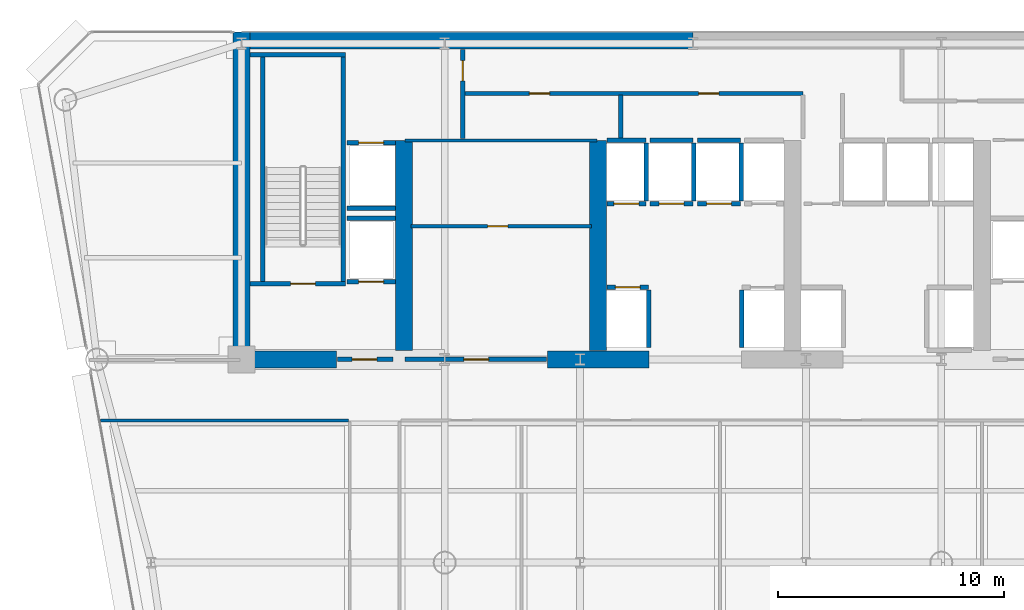
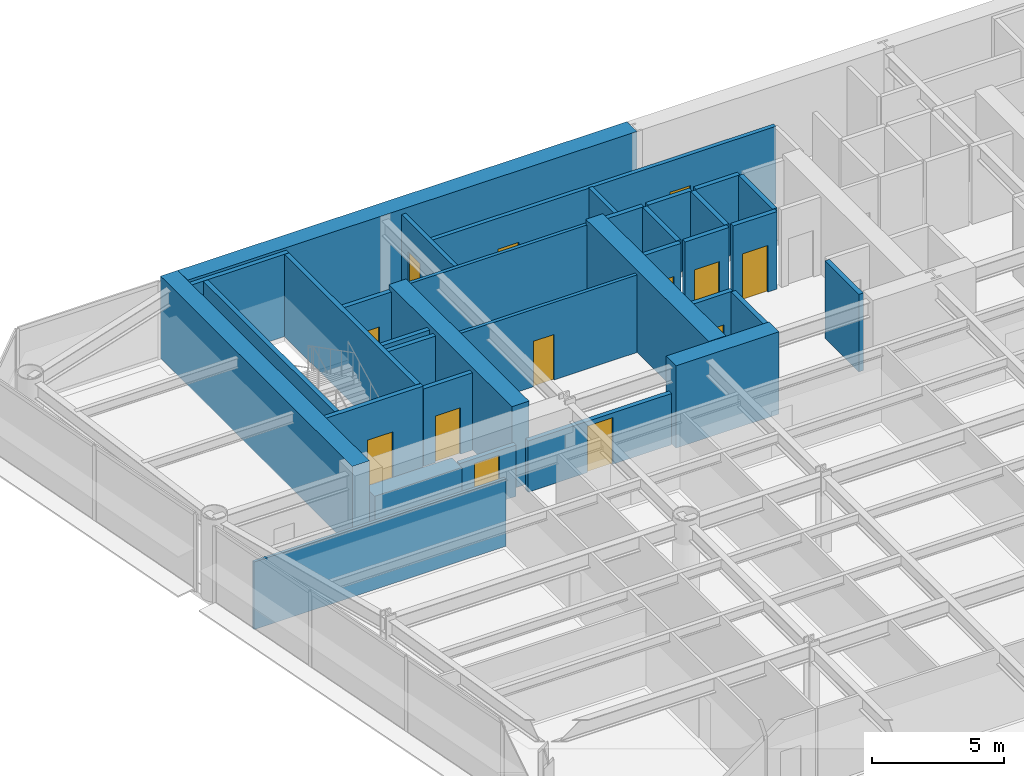
# One storey, part 8 of 14: 34 walls, 13 doors, 13 openings.
"""IFC4 building model written with IfcOpenShell, lengths in metres."""

from ifc_helpers import new_model, si_unit, direction, frame, frame_2d, origin, place, context, subcontext, project, spatial, rectangle, extrude, source, transform, mapped, material, layer, layer_set, type_object, element, fill, save


model = new_model("IFC4")

# Units and contexts
model_context = context("Model", 3, precision=1e-05, world=origin(), true_north=direction((0.0, 1.0)))
body_context = subcontext(model_context, "Body", "Model", "MODEL_VIEW")
ifc_project = project(units=[si_unit("LENGTHUNIT", "METRE"), si_unit("AREAUNIT", "SQUARE_METRE"), si_unit("VOLUMEUNIT", "CUBIC_METRE"), si_unit("PLANEANGLEUNIT", "RADIAN"), si_unit("MASSUNIT", "GRAM", prefix="KILO")], contexts=[model_context])

# Site, building, storey
site_placement = place(None, origin())
site = spatial("IfcSite", under=ifc_project, at=site_placement, CompositionType="ELEMENT")
building_placement = place(site_placement, origin())
building = spatial("IfcBuilding", under=site, at=building_placement, Name="Vaeldorn Concourse Tower", CompositionType="ELEMENT")
storey_placement = place(building_placement, frame((0.0, 0.0, 137.60009765625)))
storey = spatial("IfcBuildingStorey", under=building, at=storey_placement, Name="L35", CompositionType="ELEMENT", Elevation=137.60009765625)

# Walls
ifc_material_1 = material(Name="Concrete C60/75", Category="concrete")
ifc_layer_1 = layer(ifc_material_1, 0.75)
ifc_layer_set_1 = layer_set([ifc_layer_1], Name="Concrete C60/75")
wall_type_1 = type_object("IfcWallType", Name="WL-CORE-750", PredefinedType="SHEAR", material=ifc_layer_set_1)
wall_1_placement = place(storey_placement, frame((14.37890625, 50.625, 0.0), z_axis=(0.0, 0.0, 1.0), x_axis=(1.0, 0.0, 0.0)))
element("IfcWall", 1, at=wall_1_placement, inside=storey, type_object=wall_type_1, Name="Rear Core Shear Wall L35 N1", PredefinedType="SHEAR", context=body_context, shape_type="SweptSolid", body=[
    extrude(rectangle(XDim=19.619140625, YDim=0.75, at=frame_2d((9.8095703125, 0.0))), origin(), (0.0, 0.0, 1.0), 3.7998046875),
])
wall_2_placement = place(storey_placement, frame((14.0, 36.5, 0.0), z_axis=(0.0, 0.0, 1.0), x_axis=(0.0, 1.0, 0.0)))
element("IfcWall", 2, at=wall_2_placement, inside=storey, type_object=wall_type_1, Name="Rear Core Shear Wall L35 W1", PredefinedType="SHEAR", context=body_context, shape_type="SweptSolid", body=[
    extrude(rectangle(XDim=14.5, YDim=0.75, at=frame_2d((7.25, 0.0))), origin(), (0.0, 0.0, 1.0), 3.7998046875),
])
wall_3_placement = place(storey_placement, frame((14.39501953125, 36.5, 0.0), z_axis=(0.0, 0.0, 1.0), x_axis=(1.0, 0.0, 0.0)))
element("IfcWall", 3, at=wall_3_placement, inside=storey, type_object=wall_type_1, Name="Rear Core Shear Wall L35 S1", PredefinedType="SHEAR", context=body_context, shape_type="SweptSolid", body=[
    extrude(rectangle(XDim=3.804931640625, YDim=0.75, at=frame_2d((1.90234375, 0.0))), origin(), (0.0, 0.0, 1.0), 2.3798828125),
])
wall_4_placement = place(storey_placement, frame((27.550048828125, 36.5, 0.0), z_axis=(0.0, 0.0, 1.0), x_axis=(1.0, 0.0, 0.0)))
element("IfcWall", 4, at=wall_4_placement, inside=storey, type_object=wall_type_1, Name="Rear Core Shear Wall L35 S2", PredefinedType="SHEAR", context=body_context, shape_type="SweptSolid", body=[
    extrude(rectangle(XDim=4.5, YDim=0.75, at=frame_2d((2.25, 0.0))), origin(), (0.0, 0.0, 1.0), 3.7998046875),
])
for number, where, z_axis, x_axis, name in (
    (5, (21.199951171875, 36.89501953125, 0.0), (0.0, 0.0, 1.0), (0.0, 1.0, 0.0), "Rear Core Shear Wall L35 M1"),
    (6, (29.800048828125, 36.89501953125, 0.0), (0.0, 0.0, 1.0), (0.0, 1.0, 0.0), "Rear Core Shear Wall L35 M2"),
):
    element("IfcWall", number, at=place(storey_placement, frame(where, z_axis=z_axis, x_axis=x_axis)), inside=storey, type_object=wall_type_1, Name=name, PredefinedType="SHEAR", context=body_context, shape_type="SweptSolid", body=[
        extrude(rectangle(XDim=9.304931640625, YDim=0.75, at=frame_2d((4.65234375, 0.0))), origin(), (0.0, 0.0, 1.0), 3.7998046875),
    ])
ifc_material_2 = material(Name="Gypsum Board Partition", Category="gypsum")
ifc_layer_2 = layer(ifc_material_2, 0.1201171875)
ifc_layer_set_2 = layer_set([ifc_layer_2], Name="Gypsum Board Partition")
wall_type_2 = type_object("IfcWallType", Name="WL-PART-120", PredefinedType="PARTITIONING", material=ifc_layer_set_2)
wall_5_placement = place(storey_placement, frame((7.744873046875, 33.800048828125, 0.0), z_axis=(0.0, 0.0, 1.0), x_axis=(1.0, 0.0, 0.0)))
element("IfcWall", 7, at=wall_5_placement, inside=storey, type_object=wall_type_2, Name="Interior Wall PW-L35-C2SW", PredefinedType="PARTITIONING", context=body_context, shape_type="SweptSolid", body=[
    extrude(rectangle(XDim=10.9951171875, YDim=0.1201171875, at=frame_2d((5.49755859375, 0.0))), origin(), (0.0, 0.0, 1.0), 3.119873046875),
])
ifc_layer_3 = layer(ifc_material_2, 0.14990234375)
ifc_layer_set_3 = layer_set([ifc_layer_3], Name="Gypsum Board Partition")
wall_type_3 = type_object("IfcWallType", Name="WL-PART-150", PredefinedType="PARTITIONING", material=ifc_layer_set_3)
wall_6_placement = place(storey_placement, frame((21.25, 46.199951171875, 0.0), z_axis=(0.0, 0.0, 1.0), x_axis=(1.0, 0.0, 0.0)))
element("IfcWall", 8, at=wall_6_placement, inside=storey, type_object=wall_type_3, Name="Interior Wall CW-L35-R1N", PredefinedType="PARTITIONING", context=body_context, shape_type="SweptSolid", body=[
    extrude(rectangle(XDim=8.5, YDim=0.14990234375, at=frame_2d((4.25, 0.0))), origin(), (0.0, 0.0, 1.0), 3.579833984375),
])

# Wall, opening, door
wall_7_placement = place(storey_placement, frame((21.5, 42.39990234375, 0.0), z_axis=(0.0, 0.0, 1.0), x_axis=(1.0, 0.0, 0.0)))
wall_7 = element("IfcWall", 9, at=wall_7_placement, inside=storey, type_object=wall_type_3, Name="Interior Wall CW-L35-R1M", PredefinedType="PARTITIONING", context=body_context, shape_type="SweptSolid", body=[
    extrude(rectangle(XDim=8.0, YDim=0.14990234375, at=frame_2d((4.0, 0.0))), origin(), (0.0, 0.0, 1.0), 3.579833984375),
])
opening_1_placement = place(wall_7_placement, frame((3.39990234375, 0.0, 0.0)))
opening_1 = element("IfcOpeningElement", 10, at=opening_1_placement, cuts=wall_7, Name="Opening D-02", PredefinedType="OPENING", context=body_context, shape_type="SweptSolid", body=[
    extrude(rectangle(XDim=0.89990234375, YDim=2.10009765625, at=frame_2d((0.449951171875, 1.050048828125))), frame((0.0, 0.0849609375, 0.0), z_axis=(0.0, -1.0, 0.0), x_axis=(1.0, 0.0, 0.0)), (0.0, 0.0, 1.0), 0.169921875),
])
ifc_material_3 = material(Name="Fire-Rated Timber Leaf", Category="wood")
door_type_1 = type_object("IfcDoorType", Name="DR-FD30-900", OperationType="NOTDEFINED", PredefinedType="DOOR", material=ifc_material_3)
shared_shape_1 = source(origin(), body_context, "Body", "SweptSolid", [
    extrude(rectangle(XDim=0.89990234375, YDim=2.10009765625, at=frame_2d((0.449951171875, 1.050048828125))), frame((0.0, 0.02490234375, 0.0), z_axis=(0.0, -1.0, 0.0), x_axis=(1.0, 0.0, 0.0)), (0.0, 0.0, 1.0), 0.050048828125),
])
door_1_placement = place(opening_1_placement, origin())
door_1 = element("IfcDoor", 11, at=door_1_placement, inside=storey, type_object=door_type_1, Name="Interior Door DR-L35-R1M", OperationType="SINGLE_SWING_RIGHT", OverallHeight=2.10009765625, OverallWidth=0.89990234375, PredefinedType="DOOR", context=body_context, shape_type="MappedRepresentation", body=[
    mapped(shared_shape_1, transform((0.0, 0.0, 0.0), scale=1.0)),
])
fill(opening_1, door_1)

# Wall, openings, doors
ifc_layer_4 = layer(ifc_material_2, 0.179931640625)
ifc_layer_set_4 = layer_set([ifc_layer_4], Name="Gypsum Board Partition")
wall_type_4 = type_object("IfcWallType", Name="WL-PLUMB-180", PredefinedType="PLUMBINGWALL", material=ifc_layer_set_4)
wall_8_placement = place(storey_placement, frame((23.85009765625, 48.280029296875, 0.0), z_axis=(0.0, 0.0, 1.0), x_axis=(1.0, 0.0, 0.0)))
wall_8 = element("IfcWall", 12, at=wall_8_placement, inside=storey, type_object=wall_type_4, Name="Interior Wall CW-L35-NS2W", PredefinedType="PLUMBINGWALL", context=body_context, shape_type="SweptSolid", body=[
    extrude(rectangle(XDim=15.02978515625, YDim=0.179931640625, at=frame_2d((7.514892578125, 0.0))), origin(), (0.0, 0.0, 1.0), 3.579833984375),
])
opening_2_placement = place(wall_8_placement, frame((2.89990234375, 0.0, 0.0)))
opening_2 = element("IfcOpeningElement", 13, at=opening_2_placement, cuts=wall_8, Name="Opening D-03", PredefinedType="OPENING", context=body_context, shape_type="SweptSolid", body=[
    extrude(rectangle(XDim=0.89990234375, YDim=2.14990234375, at=frame_2d((0.449951171875, 1.074951171875))), frame((0.0, 0.10009765625, 0.0), z_axis=(0.0, -1.0, 0.0), x_axis=(1.0, 0.0, 0.0)), (0.0, 0.0, 1.0), 0.199951171875),
])
opening_3_placement = place(wall_8_placement, frame((10.39990234375, 0.0, 0.0)))
opening_3 = element("IfcOpeningElement", 14, at=opening_3_placement, cuts=wall_8, Name="Opening D-03", PredefinedType="OPENING", context=body_context, shape_type="SweptSolid", body=[
    extrude(rectangle(XDim=0.89990234375, YDim=2.14990234375, at=frame_2d((0.449951171875, 1.074951171875))), frame((0.0, 0.10009765625, 0.0), z_axis=(0.0, -1.0, 0.0), x_axis=(1.0, 0.0, 0.0)), (0.0, 0.0, 1.0), 0.199951171875),
])
ifc_material_4 = material(Name="Acoustic Bronze-Framed Glass Door", Category="glass")
door_type_2 = type_object("IfcDoorType", Name="DR-INT-900", OperationType="NOTDEFINED", PredefinedType="DOOR", material=ifc_material_4)
shared_shape_2 = source(origin(), body_context, "Body", "SweptSolid", [
    extrude(rectangle(XDim=0.89990234375, YDim=2.14990234375, at=frame_2d((0.449951171875, 1.074951171875))), frame((0.0, 0.02490234375, 0.0), z_axis=(0.0, -1.0, 0.0), x_axis=(1.0, 0.0, 0.0)), (0.0, 0.0, 1.0), 0.050048828125),
])
door_2_placement = place(opening_2_placement, origin())
door_2 = element("IfcDoor", 15, at=door_2_placement, inside=storey, type_object=door_type_2, Name="Interior Door DR-L35-CS2", OperationType="SINGLE_SWING_RIGHT", OverallHeight=2.14990234375, OverallWidth=0.89990234375, PredefinedType="DOOR", context=body_context, shape_type="MappedRepresentation", body=[
    mapped(shared_shape_2, transform((0.0, 0.0, 0.0), scale=1.0)),
])
fill(opening_2, door_2)
door_3_placement = place(opening_3_placement, origin())
door_3 = element("IfcDoor", 16, at=door_3_placement, inside=storey, type_object=door_type_2, Name="Interior Door DR-L35-CS3", OperationType="SINGLE_SWING_LEFT", OverallHeight=2.14990234375, OverallWidth=0.89990234375, PredefinedType="DOOR", context=body_context, shape_type="MappedRepresentation", body=[
    mapped(shared_shape_2, transform((0.0, 0.0, 0.0), scale=1.0)),
])
fill(opening_3, door_3)

# Wall, opening, door
wall_9_placement = place(storey_placement, frame((23.800048828125, 46.280029296875, 0.0), z_axis=(0.0, 0.0, 1.0), x_axis=(0.0, 1.0, 0.0)))
wall_9 = element("IfcWall", 17, at=wall_9_placement, inside=storey, type_object=wall_type_4, Name="Interior Wall CW-L35-SDIV1", PredefinedType="PLUMBINGWALL", context=body_context, shape_type="SweptSolid", body=[
    extrude(rectangle(XDim=3.949951171875, YDim=0.179931640625, at=frame_2d((1.97509765625, 0.0))), origin(), (0.0, 0.0, 1.0), 3.579833984375),
])
opening_4_placement = place(wall_9_placement, frame((2.56005859375, 0.0, 0.0)))
opening_4 = element("IfcOpeningElement", 18, at=opening_4_placement, cuts=wall_9, Name="Opening D-03", PredefinedType="OPENING", context=body_context, shape_type="SweptSolid", body=[
    extrude(rectangle(XDim=0.89990234375, YDim=2.14990234375, at=frame_2d((0.449951171875, 1.074951171875))), frame((0.0, 0.10009765625, 0.0), z_axis=(0.0, -1.0, 0.0), x_axis=(1.0, 0.0, 0.0)), (0.0, 0.0, 1.0), 0.199951171875),
])
door_4_placement = place(opening_4_placement, origin())
door_4 = element("IfcDoor", 19, at=door_4_placement, inside=storey, type_object=door_type_2, Name="Interior Door DR-L35-CS1", OperationType="SINGLE_SWING_LEFT", OverallHeight=2.14990234375, OverallWidth=0.89990234375, PredefinedType="DOOR", context=body_context, shape_type="MappedRepresentation", body=[
    mapped(shared_shape_2, transform((0.0, 0.0, 0.0), scale=1.0)),
])
fill(opening_4, door_4)

# Wall
wall_10_placement = place(storey_placement, frame((30.800048828125, 46.280029296875, 0.0), z_axis=(0.0, 0.0, 1.0), x_axis=(0.0, 1.0, 0.0)))
element("IfcWall", 20, at=wall_10_placement, inside=storey, type_object=wall_type_4, Name="Interior Wall CW-L35-SDIV2", PredefinedType="PLUMBINGWALL", context=body_context, shape_type="SweptSolid", body=[
    extrude(rectangle(XDim=1.93994140625, YDim=0.179931640625, at=frame_2d((0.969970703125, 0.0))), origin(), (0.0, 0.0, 1.0), 3.579833984375),
])

# Wall, opening, door
ifc_material_5 = material(Name="Concrete C50/60", Category="concrete")
ifc_layer_5 = layer(ifc_material_5, 0.199951171875)
ifc_layer_set_5 = layer_set([ifc_layer_5], Name="Concrete C50/60")
wall_type_5 = type_object("IfcWallType", Name="WL-SHAFT-200", PredefinedType="SOLIDWALL", material=ifc_layer_set_5)
wall_11_placement = place(storey_placement, frame((14.375, 39.85009765625, 0.0), z_axis=(0.0, 0.0, 1.0), x_axis=(1.0, 0.0, 0.0)))
wall_11 = element("IfcWall", 21, at=wall_11_placement, inside=storey, type_object=wall_type_5, Name="Stair Shaft Wall CW-L35-ST-1-S", PredefinedType="SOLIDWALL", context=body_context, shape_type="SweptSolid", body=[
    extrude(rectangle(XDim=4.22509765625, YDim=0.199951171875, at=frame_2d((2.112548828125, 0.0))), origin(), (0.0, 0.0, 1.0), 3.7998046875),
])
opening_5_placement = place(wall_11_placement, frame((1.800048828125, 0.0, 0.0)))
opening_5 = element("IfcOpeningElement", 22, at=opening_5_placement, cuts=wall_11, Name="Opening D-01", PredefinedType="OPENING", context=body_context, shape_type="SweptSolid", body=[
    extrude(rectangle(XDim=1.10009765625, YDim=2.14990234375, at=frame_2d((0.550048828125, 1.074951171875))), frame((0.0, 0.10986328125, 0.0), z_axis=(0.0, -1.0, 0.0), x_axis=(1.0, 0.0, 0.0)), (0.0, 0.0, 1.0), 0.219970703125),
])
ifc_material_6 = material(Name="Fire-Rated Timber and Steel Leaf", Category="steel")
door_type_3 = type_object("IfcDoorType", Name="DR-FD60-1100", OperationType="NOTDEFINED", PredefinedType="DOOR", material=ifc_material_6)
shared_shape_3 = source(origin(), body_context, "Body", "SweptSolid", [
    extrude(rectangle(XDim=1.10009765625, YDim=2.14990234375, at=frame_2d((0.550048828125, 1.074951171875))), frame((0.0, 0.02490234375, 0.0), z_axis=(0.0, -1.0, 0.0), x_axis=(1.0, 0.0, 0.0)), (0.0, 0.0, 1.0), 0.050048828125),
])
door_5_placement = place(opening_5_placement, origin())
door_5 = element("IfcDoor", 23, at=door_5_placement, inside=storey, type_object=door_type_3, Name="Interior Door DR-L35-ST-1", OperationType="SINGLE_SWING_LEFT", OverallHeight=2.14990234375, OverallWidth=1.10009765625, PredefinedType="DOOR", context=body_context, shape_type="MappedRepresentation", body=[
    mapped(shared_shape_3, transform((0.0, 0.0, 0.0), scale=1.0)),
])
fill(opening_5, door_5)

# Walls
wall_12_placement = place(storey_placement, frame((14.375, 50.0, 0.0), z_axis=(0.0, 0.0, 1.0), x_axis=(1.0, 0.0, 0.0)))
element("IfcWall", 24, at=wall_12_placement, inside=storey, type_object=wall_type_5, Name="Stair Shaft Wall CW-L35-ST-1-N", PredefinedType="SOLIDWALL", context=body_context, shape_type="SweptSolid", body=[
    extrude(rectangle(XDim=4.22509765625, YDim=0.199951171875, at=frame_2d((2.112548828125, 0.0))), origin(), (0.0, 0.0, 1.0), 3.7998046875),
])
for number, where, z_axis, x_axis, name in (
    (25, (14.949951171875, 39.9599609375, 0.0), (0.0, 0.0, 1.0), (0.0, 1.0, 0.0), "Stair Shaft Wall CW-L35-ST-1-W"),
    (26, (18.5, 39.9599609375, 0.0), (0.0, 0.0, 1.0), (0.0, 1.0, 0.0), "Stair Shaft Wall CW-L35-ST-1-E"),
):
    element("IfcWall", number, at=place(storey_placement, frame(where, z_axis=z_axis, x_axis=x_axis)), inside=storey, type_object=wall_type_5, Name=name, PredefinedType="SOLIDWALL", context=body_context, shape_type="SweptSolid", body=[
        extrude(rectangle(XDim=9.929931640625, YDim=0.199951171875, at=frame_2d((4.96484375, 0.0))), origin(), (0.0, 0.0, 1.0), 3.7998046875),
    ])

# Wall, opening, door
wall_13_placement = place(storey_placement, frame((18.25, 36.5, 0.0), z_axis=(0.0, 0.0, 1.0), x_axis=(1.0, 0.0, 0.0)))
wall_13 = element("IfcWall", 27, at=wall_13_placement, inside=storey, type_object=wall_type_5, Name="Interior Wall CW-L35-FF1S", PredefinedType="SOLIDWALL", context=body_context, shape_type="SweptSolid", body=[
    extrude(rectangle(XDim=2.469970703125, YDim=0.199951171875, at=frame_2d((1.23486328125, 0.0))), origin(), (0.0, 0.0, 1.0), 2.369873046875),
])
opening_6_placement = place(wall_13_placement, frame((0.64990234375, 0.0, 0.0)))
opening_6 = element("IfcOpeningElement", 28, at=opening_6_placement, cuts=wall_13, Name="Opening D-01", PredefinedType="OPENING", context=body_context, shape_type="SweptSolid", body=[
    extrude(rectangle(XDim=1.10009765625, YDim=2.14990234375, at=frame_2d((0.550048828125, 1.074951171875))), frame((0.0, 0.10986328125, 0.0), z_axis=(0.0, -1.0, 0.0), x_axis=(1.0, 0.0, 0.0)), (0.0, 0.0, 1.0), 0.219970703125),
])
door_6_placement = place(opening_6_placement, origin())
door_6 = element("IfcDoor", 29, at=door_6_placement, inside=storey, type_object=door_type_3, Name="Interior Door DR-L35-FF1E", OperationType="SINGLE_SWING_RIGHT", OverallHeight=2.14990234375, OverallWidth=1.10009765625, PredefinedType="DOOR", context=body_context, shape_type="MappedRepresentation", body=[
    mapped(shared_shape_3, transform((0.0, 0.0, 0.0), scale=1.0)),
])
fill(opening_6, door_6)

wall_14_placement = place(storey_placement, frame((30.18505859375, 39.699951171875, 0.0), z_axis=(0.0, 0.0, 1.0), x_axis=(1.0, 0.0, 0.0)))
wall_14 = element("IfcWall", 30, at=wall_14_placement, inside=storey, type_object=wall_type_5, Name="Interior Wall CW-L35-LF-LF-07", PredefinedType="SOLIDWALL", context=body_context, shape_type="SweptSolid", body=[
    extrude(rectangle(XDim=1.844970703125, YDim=0.199951171875, at=frame_2d((0.92236328125, 0.0))), origin(), (0.0, 0.0, 1.0), 3.579833984375),
])
opening_7_placement = place(wall_14_placement, frame((0.373046875, 0.0, 0.0)))
opening_7 = element("IfcOpeningElement", 31, at=opening_7_placement, cuts=wall_14, Name="Opening LD-1", PredefinedType="OPENING", context=body_context, shape_type="SweptSolid", body=[
    extrude(rectangle(XDim=1.10009765625, YDim=2.14990234375, at=frame_2d((0.550048828125, 1.074951171875))), frame((0.0, 0.10986328125, 0.0), z_axis=(0.0, -1.0, 0.0), x_axis=(1.0, 0.0, 0.0)), (0.0, 0.0, 1.0), 0.219970703125),
])
ifc_material_7 = material(Name="Anodised Bronze Aluminium", Category="aluminium")
door_type_4 = type_object("IfcDoorType", Name="DR-LIFT-SLIDE-1100", OperationType="DOUBLE_DOOR_SLIDING", PredefinedType="DOOR", material=ifc_material_7)
door_7_placement = place(opening_7_placement, origin())
door_7 = element("IfcDoor", 32, at=door_7_placement, inside=storey, type_object=door_type_4, Name="Lift Landing Door LD-L35-LF-07", OperationType="DOUBLE_DOOR_SLIDING", OverallHeight=2.14990234375, OverallWidth=1.10009765625, PredefinedType="DOOR", context=body_context, shape_type="MappedRepresentation", body=[
    mapped(shared_shape_3, transform((0.0, 0.0, 0.0), scale=1.0)),
])
fill(opening_7, door_7)

# Walls
for number, where, z_axis, x_axis, name in (
    (33, (32.050048828125, 37.02001953125, 0.0), (0.0, 0.0, 1.0), (0.0, 1.0, 0.0), "Interior Wall CW-L35-LFE-LF-07"),
    (34, (36.14990234375, 37.02001953125, 0.0), (0.0, 0.0, 1.0), (0.0, 1.0, 0.0), "Interior Wall CW-L35-LFW-LF-08"),
):
    element("IfcWall", number, at=place(storey_placement, frame(where, z_axis=z_axis, x_axis=x_axis)), inside=storey, type_object=wall_type_5, Name=name, PredefinedType="SOLIDWALL", context=body_context, shape_type="SweptSolid", body=[
        extrude(rectangle(XDim=2.56005859375, YDim=0.199951171875, at=frame_2d((1.280029296875, 0.0))), origin(), (0.0, 0.0, 1.0), 3.579833984375),
    ])

# Wall, opening, door
wall_15_placement = place(storey_placement, frame((30.18505859375, 43.39990234375, 0.0), z_axis=(0.0, 0.0, 1.0), x_axis=(1.0, 0.0, 0.0)))
wall_15 = element("IfcWall", 35, at=wall_15_placement, inside=storey, type_object=wall_type_5, Name="Interior Wall CW-L35-LF-LF-09", PredefinedType="SOLIDWALL", context=body_context, shape_type="SweptSolid", body=[
    extrude(rectangle(XDim=1.724853515625, YDim=0.199951171875, at=frame_2d((0.8623046875, 0.0))), origin(), (0.0, 0.0, 1.0), 3.579833984375),
])
opening_8_placement = place(wall_15_placement, frame((0.31298828125, 0.0, 0.0)))
opening_8 = element("IfcOpeningElement", 36, at=opening_8_placement, cuts=wall_15, Name="Opening LD-1", PredefinedType="OPENING", context=body_context, shape_type="SweptSolid", body=[
    extrude(rectangle(XDim=1.10009765625, YDim=2.14990234375, at=frame_2d((0.550048828125, 1.074951171875))), frame((0.0, 0.10986328125, 0.0), z_axis=(0.0, -1.0, 0.0), x_axis=(1.0, 0.0, 0.0)), (0.0, 0.0, 1.0), 0.219970703125),
])
door_8_placement = place(opening_8_placement, origin())
door_8 = element("IfcDoor", 37, at=door_8_placement, inside=storey, type_object=door_type_4, Name="Lift Landing Door LD-L35-LF-09", OperationType="DOUBLE_DOOR_SLIDING", OverallHeight=2.14990234375, OverallWidth=1.10009765625, PredefinedType="DOOR", context=body_context, shape_type="MappedRepresentation", body=[
    mapped(shared_shape_3, transform((0.0, 0.0, 0.0), scale=1.0)),
])
fill(opening_8, door_8)

# Walls
wall_16_placement = place(storey_placement, frame((30.18505859375, 46.199951171875, 0.0), z_axis=(0.0, 0.0, 1.0), x_axis=(1.0, 0.0, 0.0)))
element("IfcWall", 38, at=wall_16_placement, inside=storey, type_object=wall_type_5, Name="Interior Wall CW-L35-LFB-LF-09", PredefinedType="SOLIDWALL", context=body_context, shape_type="SweptSolid", body=[
    extrude(rectangle(XDim=1.724853515625, YDim=0.199951171875, at=frame_2d((0.8623046875, 0.0))), origin(), (0.0, 0.0, 1.0), 3.579833984375),
])
wall_17_placement = place(storey_placement, frame((31.929931640625, 43.52001953125, 0.0), z_axis=(0.0, 0.0, 1.0), x_axis=(0.0, 1.0, 0.0)))
element("IfcWall", 39, at=wall_17_placement, inside=storey, type_object=wall_type_5, Name="Interior Wall CW-L35-LFE-LF-09", PredefinedType="SOLIDWALL", context=body_context, shape_type="SweptSolid", body=[
    extrude(rectangle(XDim=2.56005859375, YDim=0.199951171875, at=frame_2d((1.280029296875, 0.0))), origin(), (0.0, 0.0, 1.0), 3.579833984375),
])

# Wall, opening, door
wall_18_placement = place(storey_placement, frame((32.090087890625, 43.39990234375, 0.0), z_axis=(0.0, 0.0, 1.0), x_axis=(1.0, 0.0, 0.0)))
wall_18 = element("IfcWall", 40, at=wall_18_placement, inside=storey, type_object=wall_type_5, Name="Interior Wall CW-L35-LF-LF-10", PredefinedType="SOLIDWALL", context=body_context, shape_type="SweptSolid", body=[
    extrude(rectangle(XDim=1.919921875, YDim=0.199951171875, at=frame_2d((0.9599609375, 0.0))), origin(), (0.0, 0.0, 1.0), 3.579833984375),
])
opening_9_placement = place(wall_18_placement, frame((0.409912109375, 0.0, 0.0)))
opening_9 = element("IfcOpeningElement", 41, at=opening_9_placement, cuts=wall_18, Name="Opening LD-1", PredefinedType="OPENING", context=body_context, shape_type="SweptSolid", body=[
    extrude(rectangle(XDim=1.10009765625, YDim=2.14990234375, at=frame_2d((0.550048828125, 1.074951171875))), frame((0.0, 0.10986328125, 0.0), z_axis=(0.0, -1.0, 0.0), x_axis=(1.0, 0.0, 0.0)), (0.0, 0.0, 1.0), 0.219970703125),
])
door_9_placement = place(opening_9_placement, origin())
door_9 = element("IfcDoor", 42, at=door_9_placement, inside=storey, type_object=door_type_4, Name="Lift Landing Door LD-L35-LF-10", OperationType="DOUBLE_DOOR_SLIDING", OverallHeight=2.14990234375, OverallWidth=1.10009765625, PredefinedType="DOOR", context=body_context, shape_type="MappedRepresentation", body=[
    mapped(shared_shape_3, transform((0.0, 0.0, 0.0), scale=1.0)),
])
fill(opening_9, door_9)

# Walls
wall_19_placement = place(storey_placement, frame((32.090087890625, 46.199951171875, 0.0), z_axis=(0.0, 0.0, 1.0), x_axis=(1.0, 0.0, 0.0)))
element("IfcWall", 43, at=wall_19_placement, inside=storey, type_object=wall_type_5, Name="Interior Wall CW-L35-LFB-LF-10", PredefinedType="SOLIDWALL", context=body_context, shape_type="SweptSolid", body=[
    extrude(rectangle(XDim=1.919921875, YDim=0.199951171875, at=frame_2d((0.9599609375, 0.0))), origin(), (0.0, 0.0, 1.0), 3.579833984375),
])
wall_20_placement = place(storey_placement, frame((34.030029296875, 43.52001953125, 0.0), z_axis=(0.0, 0.0, 1.0), x_axis=(0.0, 1.0, 0.0)))
element("IfcWall", 44, at=wall_20_placement, inside=storey, type_object=wall_type_5, Name="Interior Wall CW-L35-LFE-LF-10", PredefinedType="SOLIDWALL", context=body_context, shape_type="SweptSolid", body=[
    extrude(rectangle(XDim=2.56005859375, YDim=0.199951171875, at=frame_2d((1.280029296875, 0.0))), origin(), (0.0, 0.0, 1.0), 3.579833984375),
])

# Wall, opening, door
wall_21_placement = place(storey_placement, frame((34.18994140625, 43.39990234375, 0.0), z_axis=(0.0, 0.0, 1.0), x_axis=(1.0, 0.0, 0.0)))
wall_21 = element("IfcWall", 45, at=wall_21_placement, inside=storey, type_object=wall_type_5, Name="Interior Wall CW-L35-LF-LF-11", PredefinedType="SOLIDWALL", context=body_context, shape_type="SweptSolid", body=[
    extrude(rectangle(XDim=1.920166015625, YDim=0.199951171875, at=frame_2d((0.9599609375, 0.0))), origin(), (0.0, 0.0, 1.0), 3.579833984375),
])
opening_10_placement = place(wall_21_placement, frame((0.409912109375, 0.0, 0.0)))
opening_10 = element("IfcOpeningElement", 46, at=opening_10_placement, cuts=wall_21, Name="Opening LD-1", PredefinedType="OPENING", context=body_context, shape_type="SweptSolid", body=[
    extrude(rectangle(XDim=1.10009765625, YDim=2.14990234375, at=frame_2d((0.550048828125, 1.074951171875))), frame((0.0, 0.10986328125, 0.0), z_axis=(0.0, -1.0, 0.0), x_axis=(1.0, 0.0, 0.0)), (0.0, 0.0, 1.0), 0.219970703125),
])
door_10_placement = place(opening_10_placement, origin())
door_10 = element("IfcDoor", 47, at=door_10_placement, inside=storey, type_object=door_type_4, Name="Lift Landing Door LD-L35-LF-11", OperationType="DOUBLE_DOOR_SLIDING", OverallHeight=2.14990234375, OverallWidth=1.10009765625, PredefinedType="DOOR", context=body_context, shape_type="MappedRepresentation", body=[
    mapped(shared_shape_3, transform((0.0, 0.0, 0.0), scale=1.0)),
])
fill(opening_10, door_10)

# Walls
wall_22_placement = place(storey_placement, frame((34.18994140625, 46.199951171875, 0.0), z_axis=(0.0, 0.0, 1.0), x_axis=(1.0, 0.0, 0.0)))
element("IfcWall", 48, at=wall_22_placement, inside=storey, type_object=wall_type_5, Name="Interior Wall CW-L35-LFB-LF-11", PredefinedType="SOLIDWALL", context=body_context, shape_type="SweptSolid", body=[
    extrude(rectangle(XDim=1.920166015625, YDim=0.199951171875, at=frame_2d((0.9599609375, 0.0))), origin(), (0.0, 0.0, 1.0), 3.579833984375),
])
wall_23_placement = place(storey_placement, frame((36.1298828125, 43.52001953125, 0.0), z_axis=(0.0, 0.0, 1.0), x_axis=(0.0, 1.0, 0.0)))
element("IfcWall", 49, at=wall_23_placement, inside=storey, type_object=wall_type_5, Name="Interior Wall CW-L35-LFE-LF-11", PredefinedType="SOLIDWALL", context=body_context, shape_type="SweptSolid", body=[
    extrude(rectangle(XDim=2.56005859375, YDim=0.199951171875, at=frame_2d((1.280029296875, 0.0))), origin(), (0.0, 0.0, 1.0), 3.579833984375),
])

# Wall, opening, door
wall_24_placement = place(storey_placement, frame((18.669921875, 46.10009765625, 0.0), z_axis=(0.0, 0.0, 1.0), x_axis=(1.0, 0.0, 0.0)))
wall_24 = element("IfcWall", 50, at=wall_24_placement, inside=storey, type_object=wall_type_5, Name="Interior Wall CW-L35-LF-LF-SV1", PredefinedType="SOLIDWALL", context=body_context, shape_type="SweptSolid", body=[
    extrude(rectangle(XDim=2.14501953125, YDim=0.199951171875, at=frame_2d((1.072509765625, 0.0))), origin(), (0.0, 0.0, 1.0), 3.579833984375),
])
opening_11_placement = place(wall_24_placement, frame((0.52197265625, 0.0, 0.0)))
opening_11 = element("IfcOpeningElement", 51, at=opening_11_placement, cuts=wall_24, Name="Opening LD-1", PredefinedType="OPENING", context=body_context, shape_type="SweptSolid", body=[
    extrude(rectangle(XDim=1.10009765625, YDim=2.14990234375, at=frame_2d((0.550048828125, 1.074951171875))), frame((0.0, 0.10986328125, 0.0), z_axis=(0.0, -1.0, 0.0), x_axis=(1.0, 0.0, 0.0)), (0.0, 0.0, 1.0), 0.219970703125),
])
door_11_placement = place(opening_11_placement, origin())
door_11 = element("IfcDoor", 52, at=door_11_placement, inside=storey, type_object=door_type_4, Name="Lift Landing Door LD-L35-LF-SV1", OperationType="DOUBLE_DOOR_SLIDING", OverallHeight=2.14990234375, OverallWidth=1.10009765625, PredefinedType="DOOR", context=body_context, shape_type="MappedRepresentation", body=[
    mapped(shared_shape_3, transform((0.0, 0.0, 0.0), scale=1.0)),
])
fill(opening_11, door_11)

# Wall
wall_25_placement = place(storey_placement, frame((18.669921875, 43.199951171875, 0.0), z_axis=(0.0, 0.0, 1.0), x_axis=(1.0, 0.0, 0.0)))
element("IfcWall", 53, at=wall_25_placement, inside=storey, type_object=wall_type_5, Name="Interior Wall CW-L35-LFB-LF-SV1", PredefinedType="SOLIDWALL", context=body_context, shape_type="SweptSolid", body=[
    extrude(rectangle(XDim=2.14501953125, YDim=0.199951171875, at=frame_2d((1.072509765625, 0.0))), origin(), (0.0, 0.0, 1.0), 3.579833984375),
])

# Wall, opening, door
wall_26_placement = place(storey_placement, frame((18.669921875, 39.949951171875, 0.0), z_axis=(0.0, 0.0, 1.0), x_axis=(1.0, 0.0, 0.0)))
wall_26 = element("IfcWall", 54, at=wall_26_placement, inside=storey, type_object=wall_type_5, Name="Interior Wall CW-L35-LF-LF-FF1", PredefinedType="SOLIDWALL", context=body_context, shape_type="SweptSolid", body=[
    extrude(rectangle(XDim=2.14501953125, YDim=0.199951171875, at=frame_2d((1.072509765625, 0.0))), origin(), (0.0, 0.0, 1.0), 3.579833984375),
])
opening_12_placement = place(wall_26_placement, frame((0.52197265625, 0.0, 0.0)))
opening_12 = element("IfcOpeningElement", 55, at=opening_12_placement, cuts=wall_26, Name="Opening LD-1", PredefinedType="OPENING", context=body_context, shape_type="SweptSolid", body=[
    extrude(rectangle(XDim=1.10009765625, YDim=2.14990234375, at=frame_2d((0.550048828125, 1.074951171875))), frame((0.0, 0.10986328125, 0.0), z_axis=(0.0, -1.0, 0.0), x_axis=(1.0, 0.0, 0.0)), (0.0, 0.0, 1.0), 0.219970703125),
])
door_12_placement = place(opening_12_placement, origin())
door_12 = element("IfcDoor", 56, at=door_12_placement, inside=storey, type_object=door_type_4, Name="Lift Landing Door LD-L35-LF-FF1", OperationType="DOUBLE_DOOR_SLIDING", OverallHeight=2.14990234375, OverallWidth=1.10009765625, PredefinedType="DOOR", context=body_context, shape_type="MappedRepresentation", body=[
    mapped(shared_shape_3, transform((0.0, 0.0, 0.0), scale=1.0)),
])
fill(opening_12, door_12)

# Wall
wall_27_placement = place(storey_placement, frame((18.669921875, 42.75, 0.0), z_axis=(0.0, 0.0, 1.0), x_axis=(1.0, 0.0, 0.0)))
element("IfcWall", 57, at=wall_27_placement, inside=storey, type_object=wall_type_5, Name="Interior Wall CW-L35-LFB-LF-FF1", PredefinedType="SOLIDWALL", context=body_context, shape_type="SweptSolid", body=[
    extrude(rectangle(XDim=2.14501953125, YDim=0.199951171875, at=frame_2d((1.072509765625, 0.0))), origin(), (0.0, 0.0, 1.0), 3.579833984375),
])

# Wall, opening, door
wall_28_placement = place(storey_placement, frame((21.25, 36.5, 0.0), z_axis=(0.0, 0.0, 1.0), x_axis=(1.0, 0.0, 0.0)))
wall_28 = element("IfcWall", 58, at=wall_28_placement, inside=storey, type_object=wall_type_5, Name="Interior Wall CW-L35-R1S", PredefinedType="SOLIDWALL", context=body_context, shape_type="SweptSolid", body=[
    extrude(rectangle(XDim=6.27001953125, YDim=0.199951171875, at=frame_2d((3.135009765625, 0.0))), origin(), (0.0, 0.0, 1.0), 2.369873046875),
])
opening_13_placement = place(wall_28_placement, frame((2.60009765625, 0.0, 0.0)))
opening_13 = element("IfcOpeningElement", 59, at=opening_13_placement, cuts=wall_28, Name="Opening D-01", PredefinedType="OPENING", context=body_context, shape_type="SweptSolid", body=[
    extrude(rectangle(XDim=1.10009765625, YDim=2.14990234375, at=frame_2d((0.550048828125, 1.074951171875))), frame((0.0, 0.10986328125, 0.0), z_axis=(0.0, -1.0, 0.0), x_axis=(1.0, 0.0, 0.0)), (0.0, 0.0, 1.0), 0.219970703125),
])
door_13_placement = place(opening_13_placement, origin())
door_13 = element("IfcDoor", 60, at=door_13_placement, inside=storey, type_object=door_type_3, Name="Interior Door DR-L35-R1S", OperationType="SINGLE_SWING_LEFT", OverallHeight=2.14990234375, OverallWidth=1.10009765625, PredefinedType="DOOR", context=body_context, shape_type="MappedRepresentation", body=[
    mapped(shared_shape_3, transform((0.0, 0.0, 0.0), scale=1.0)),
])
fill(opening_13, door_13)

save(model, "model.ifc")
